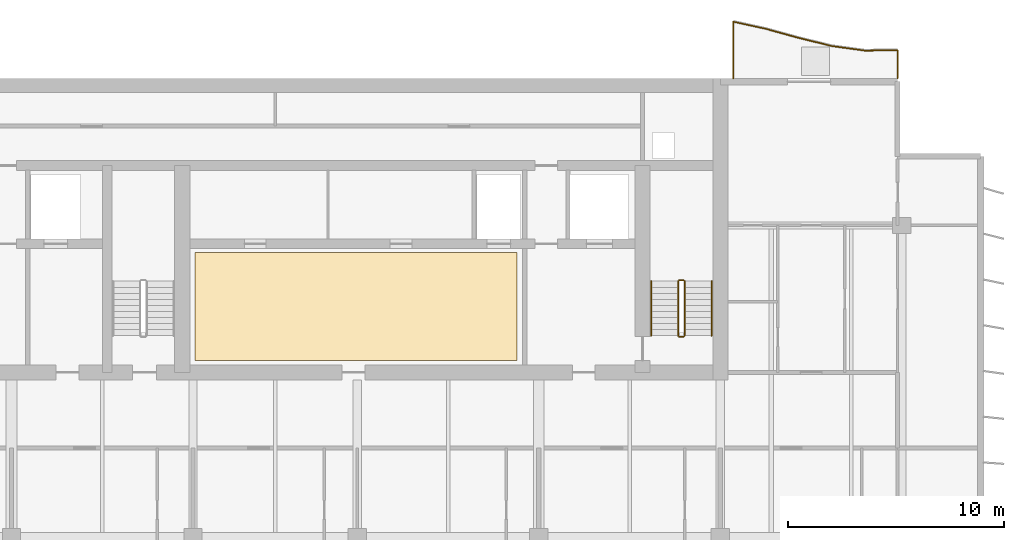
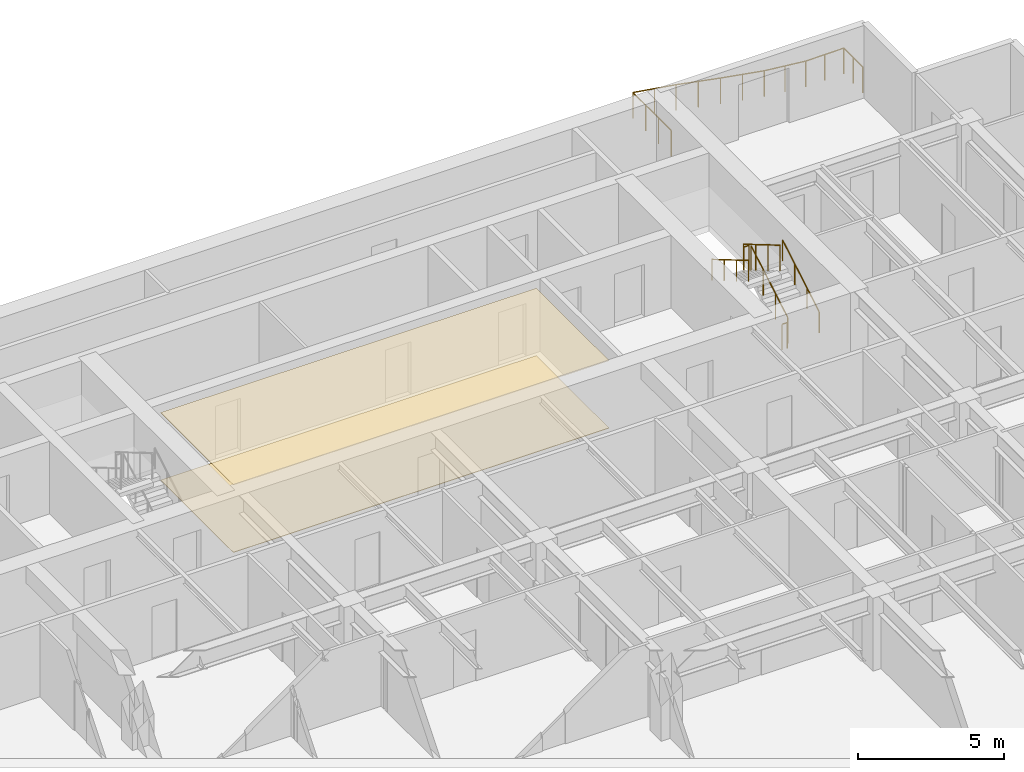
# One storey, part 18 of 19: 7 railings, 2 coverings.
"""IFC4 building model written with IfcOpenShell, lengths in metres."""

from ifc_helpers import new_model, si_unit, direction, frame, origin, origin_2d, place, context, subcontext, project, spatial, polyline, circle, outline, extrude, material, layer, layer_set, type_object, element, save


model = new_model("IFC4")

# Units and contexts
model_context = context("Model", 3, precision=1e-05, world=origin(), true_north=direction((0.0, 1.0)))
body_context = subcontext(model_context, "Body", "Model", "MODEL_VIEW")
ifc_project = project(units=[si_unit("LENGTHUNIT", "METRE"), si_unit("AREAUNIT", "SQUARE_METRE"), si_unit("VOLUMEUNIT", "CUBIC_METRE"), si_unit("PLANEANGLEUNIT", "RADIAN"), si_unit("MASSUNIT", "GRAM", prefix="KILO")], contexts=[model_context])

# Site, building, storey
site_placement = place(None, origin())
site = spatial("IfcSite", under=ifc_project, at=site_placement, CompositionType="ELEMENT")
building_placement = place(site_placement, origin())
building = spatial("IfcBuilding", under=site, at=building_placement, Name="Caelmar Bay Residences", CompositionType="ELEMENT")
storey_placement = place(building_placement, frame((0.0, 0.0, 195.0)))
storey = spatial("IfcBuildingStorey", under=building, at=storey_placement, Name="L54", CompositionType="ELEMENT", Elevation=195.0)

# Coverings
ifc_material_1 = material(Name="Perforated acoustic gypsum-mineral ceiling tile 20 mm")
ifc_layer_1 = layer(ifc_material_1, 0.02001953125)
ifc_layer_set_1 = layer_set([ifc_layer_1], Name="Perforated acoustic gypsum-mineral ceiling tile 20 mm")
covering_type_1 = type_object("IfcCoveringType", Name="COV-CEIL-20", PredefinedType="CEILING", material=ifc_layer_set_1)
covering_1_placement = place(storey_placement, frame((0.0, 0.0, 2.830078125)))
element("IfcCovering", 1, at=covering_1_placement, inside=storey, type_object=covering_type_1, Name="L54 Lift Lobby Acoustic Ceiling", PredefinedType="CEILING", context=body_context, shape_type="SweptSolid", body=[
    extrude(outline(polyline([(35.199951171875, 37.550048828125), (50.10009765625, 37.550048828125), (50.10009765625, 42.550048828125), (35.199951171875, 42.550048828125), (35.199951171875, 37.550048828125)])), origin(), (0.0, 0.0, 1.0), 0.02001953125),
])
ifc_material_2 = material(Name="Honed terrazzo and engineered white-oak flooring 20 mm")
ifc_layer_2 = layer(ifc_material_2, 0.02001953125)
ifc_layer_set_2 = layer_set([ifc_layer_2], Name="Honed terrazzo and engineered white-oak flooring 20 mm")
covering_type_2 = type_object("IfcCoveringType", Name="COV-FLR-20", PredefinedType="FLOORING", material=ifc_layer_set_2)
covering_2_placement = place(storey_placement, origin())
element("IfcCovering", 2, at=covering_2_placement, inside=storey, type_object=covering_type_2, Name="L54 Lift Lobby Terrazzo Flooring", PredefinedType="FLOORING", context=body_context, shape_type="SweptSolid", body=[
    extrude(outline(polyline([(35.199951171875, 37.550048828125), (50.10009765625, 37.550048828125), (50.10009765625, 42.550048828125), (35.199951171875, 42.550048828125), (35.199951171875, 37.550048828125)])), origin(), (0.0, 0.0, 1.0), 0.02001953125),
])

# Railings
ifc_material_3 = material(Name="Anodised bronze handrail with laminated hurricane glass infill", Category="glass")
railing_type_1 = type_object("IfcRailingType", Name="RL-BAL-1100", PredefinedType="BALUSTRADE", material=ifc_material_3)
railing_1_placement = place(storey_placement, frame((67.699951171875, 50.60009765625, 0.0)))
element("IfcRailing", 3, at=railing_1_placement, inside=storey, type_object=railing_type_1, Name="L54 north_east Balcony Balustrade", PredefinedType="BALUSTRADE", context=body_context, shape_type="SweptSolid", body=[
    extrude(circle(Radius=0.02392578125, at=origin_2d()), frame((0.0, 0.0, 1.076171875), z_axis=(0.0, 1.0, 0.0), x_axis=(-1.0, 0.0, 0.0)), (0.0, 0.0, 1.0), 1.310302734375),
    extrude(circle(Radius=0.02392578125, at=origin_2d()), frame((0.0, 1.310302734375, 1.076171875), z_axis=(-0.999921532492, -0.012527124885, 0.0), x_axis=(0.012527124885, -0.999921532492, 0.0)), (0.0, 0.0, 1.0), 1.52001953125),
    extrude(circle(Radius=0.02392578125, at=origin_2d()), frame((-1.52001953125, 1.291259765625, 1.076171875), z_axis=(-0.990551196857, 0.137143451926, 0.0), x_axis=(-0.137143451926, -0.990551196857, 0.0)), (0.0, 0.0, 1.0), 1.534423828125),
    extrude(circle(Radius=0.02392578125, at=origin_2d()), frame((-3.0400390625, 1.501708984375, 1.076171875), z_axis=(-0.971143394628, 0.238496346031, 0.0), x_axis=(-0.238496346031, -0.971143394628, 0.0)), (0.0, 0.0, 1.0), 1.565185546875),
    extrude(circle(Radius=0.02392578125, at=origin_2d()), frame((-4.56005859375, 1.875, 1.076171875), z_axis=(-0.964041885028, 0.265750341319, 0.0), x_axis=(-0.265750341319, -0.964041885028, 0.0)), (0.0, 0.0, 1.0), 1.576416015625),
    extrude(circle(Radius=0.02392578125, at=origin_2d()), frame((-6.079833984375, 2.2939453125, 1.076171875), z_axis=(-0.976865202557, 0.2138559703, 0.0), x_axis=(-0.2138559703, -0.976865202557, 0.0)), (0.0, 0.0, 1.0), 1.555908203125),
    extrude(circle(Radius=0.02392578125, at=origin_2d()), frame((-7.599853515625, 2.626708984375, 1.076171875), z_axis=(0.0, -1.0, 0.0), x_axis=(1.0, 0.0, 0.0)), (0.0, 0.0, 1.0), 2.626708984375),
    extrude(circle(Radius=0.02099609375, at=origin_2d()), origin(), (0.0, 0.0, 1.0), 1.052001953125),
    extrude(circle(Radius=0.02099609375, at=origin_2d()), frame((0.0, 0.6552734375, 0.0)), (0.0, 0.0, 1.0), 1.052001953125),
    extrude(circle(Radius=0.02099609375, at=origin_2d()), frame((0.0, 1.310302734375, 0.0)), (0.0, 0.0, 1.0), 1.052001953125),
    extrude(circle(Radius=0.02099609375, at=origin_2d()), frame((-0.760009765625, 1.30078125, 0.0)), (0.0, 0.0, 1.0), 1.052001953125),
    extrude(circle(Radius=0.02099609375, at=origin_2d()), frame((-1.52001953125, 1.291259765625, 0.0)), (0.0, 0.0, 1.0), 1.052001953125),
    extrude(circle(Radius=0.02099609375, at=origin_2d()), frame((-2.280029296875, 1.396484375, 0.0)), (0.0, 0.0, 1.0), 1.052001953125),
    extrude(circle(Radius=0.02099609375, at=origin_2d()), frame((-3.0400390625, 1.501708984375, 0.0)), (0.0, 0.0, 1.0), 1.052001953125),
    extrude(circle(Radius=0.02099609375, at=origin_2d()), frame((-3.800048828125, 1.6884765625, 0.0)), (0.0, 0.0, 1.0), 1.052001953125),
    extrude(circle(Radius=0.02099609375, at=origin_2d()), frame((-4.56005859375, 1.875, 0.0)), (0.0, 0.0, 1.0), 1.052001953125),
    extrude(circle(Radius=0.02099609375, at=origin_2d()), frame((-5.31982421875, 2.08447265625, 0.0)), (0.0, 0.0, 1.0), 1.052001953125),
    extrude(circle(Radius=0.02099609375, at=origin_2d()), frame((-6.079833984375, 2.2939453125, 0.0)), (0.0, 0.0, 1.0), 1.052001953125),
    extrude(circle(Radius=0.02099609375, at=origin_2d()), frame((-6.83984375, 2.46044921875, 0.0)), (0.0, 0.0, 1.0), 1.052001953125),
    extrude(circle(Radius=0.02099609375, at=origin_2d()), frame((-7.599853515625, 2.626708984375, 0.0)), (0.0, 0.0, 1.0), 1.052001953125),
    extrude(circle(Radius=0.02099609375, at=origin_2d()), frame((-7.599853515625, 1.751220703125, 0.0)), (0.0, 0.0, 1.0), 1.052001953125),
    extrude(circle(Radius=0.02099609375, at=origin_2d()), frame((-7.599853515625, 0.87548828125, 0.0)), (0.0, 0.0, 1.0), 1.052001953125),
    extrude(circle(Radius=0.02099609375, at=origin_2d()), frame((-7.599853515625, 0.0, 0.0)), (0.0, 0.0, 1.0), 1.052001953125),
])
ifc_material_4 = material(Name="Painted galvanized steel stair guard 1100 mm", Category="steel")
railing_type_2 = type_object("IfcRailingType", Name="RL-GRD-1100", PredefinedType="GUARDRAIL", material=ifc_material_4)
railing_2_placement = place(storey_placement, frame((57.85009765625, 38.699951171875, 0.1650390625)))
element("IfcRailing", 4, at=railing_2_placement, inside=storey, type_object=railing_type_2, Name="L54 ST2 stair guard 1", PredefinedType="GUARDRAIL", context=body_context, shape_type="SweptSolid", body=[
    extrude(circle(Radius=0.02392578125, at=origin_2d()), frame((0.0, 0.0, 1.076171875), z_axis=(0.0, 0.861560626758, 0.507654692109), x_axis=(-1.0, 0.0, 0.0)), (0.0, 0.0, 1.0), 2.925048828125),
    extrude(circle(Radius=0.02099609375, at=origin_2d()), origin(), (0.0, 0.0, 1.0), 1.052001953125),
    extrude(circle(Radius=0.02099609375, at=origin_2d()), frame((0.0, 0.840087890625, 0.494873046875)), (0.0, 0.0, 1.0), 1.052001953125),
    extrude(circle(Radius=0.02099609375, at=origin_2d()), frame((0.0, 1.679931640625, 0.989990234375)), (0.0, 0.0, 1.0), 1.052001953125),
    extrude(circle(Radius=0.02099609375, at=origin_2d()), frame((0.0, 2.52001953125, 1.48486328125)), (0.0, 0.0, 1.0), 1.052001953125),
])
railing_3_placement = place(storey_placement, frame((57.800048828125, 41.27001953125, 1.64990234375)))
element("IfcRailing", 5, at=railing_3_placement, inside=storey, type_object=railing_type_2, Name="L54 ST2 stair guard 2", PredefinedType="GUARDRAIL", context=body_context, shape_type="SweptSolid", body=[
    extrude(circle(Radius=0.02392578125, at=origin_2d()), frame((0.0, 0.0, 1.076171875), z_axis=(-1.0, 0.0, 0.0), x_axis=(0.0, -1.0, 0.0)), (0.0, 0.0, 1.0), 0.199951171875),
    extrude(circle(Radius=0.02099609375, at=origin_2d()), origin(), (0.0, 0.0, 1.0), 1.052001953125),
    extrude(circle(Radius=0.02099609375, at=origin_2d()), frame((-0.199951171875, 0.0, 0.0)), (0.0, 0.0, 1.0), 1.052001953125),
])
railing_4_placement = place(storey_placement, frame((57.550048828125, 41.219970703125, 1.81494140625)))
element("IfcRailing", 6, at=railing_4_placement, inside=storey, type_object=railing_type_2, Name="L54 ST2 stair guard 3", PredefinedType="GUARDRAIL", context=body_context, shape_type="SweptSolid", body=[
    extrude(circle(Radius=0.02392578125, at=origin_2d()), frame((0.0, 0.0, 1.076171875), z_axis=(0.0, -0.86152411907, 0.507716645641), x_axis=(1.0, 0.0, 0.0)), (0.0, 0.0, 1.0), 2.925048828125),
    extrude(circle(Radius=0.02099609375, at=origin_2d()), origin(), (0.0, 0.0, 1.0), 1.052001953125),
    extrude(circle(Radius=0.02099609375, at=origin_2d()), frame((0.0, -0.840087890625, 0.4951171875)), (0.0, 0.0, 1.0), 1.052001953125),
    extrude(circle(Radius=0.02099609375, at=origin_2d()), frame((0.0, -1.679931640625, 0.989990234375)), (0.0, 0.0, 1.0), 1.052001953125),
    extrude(circle(Radius=0.02099609375, at=origin_2d()), frame((0.0, -2.52001953125, 1.485107421875)), (0.0, 0.0, 1.0), 1.052001953125),
])
railing_5_placement = place(storey_placement, frame((57.800048828125, 38.64990234375, 0.0)))
element("IfcRailing", 7, at=railing_5_placement, inside=storey, type_object=railing_type_2, Name="L54 ST2 stair guard 4", PredefinedType="GUARDRAIL", context=body_context, shape_type="SweptSolid", body=[
    extrude(circle(Radius=0.02392578125, at=origin_2d()), frame((0.0, 0.0, 1.076171875), z_axis=(-1.0, 0.0, 0.0), x_axis=(0.0, -1.0, 0.0)), (0.0, 0.0, 1.0), 0.199951171875),
    extrude(circle(Radius=0.02099609375, at=origin_2d()), origin(), (0.0, 0.0, 1.0), 1.052001953125),
    extrude(circle(Radius=0.02099609375, at=origin_2d()), frame((-0.199951171875, 0.0, 0.0)), (0.0, 0.0, 1.0), 1.052001953125),
])
ifc_material_5 = material(Name="Brushed bronze stainless-steel tubular handrail 900 mm", Category="steel")
railing_type_3 = type_object("IfcRailingType", Name="RL-HND-900", PredefinedType="HANDRAIL", material=ifc_material_5)
railing_6_placement = place(storey_placement, frame((59.10009765625, 38.699951171875, 0.1650390625)))
element("IfcRailing", 8, at=railing_6_placement, inside=storey, type_object=railing_type_3, Name="L54 ST2 stair handrail 1", PredefinedType="HANDRAIL", context=body_context, shape_type="SweptSolid", body=[
    extrude(circle(Radius=0.02392578125, at=origin_2d()), frame((0.0, 0.0, 0.8759765625), z_axis=(0.0, 0.861560626758, 0.507654692109), x_axis=(-1.0, 0.0, 0.0)), (0.0, 0.0, 1.0), 2.925048828125),
    extrude(circle(Radius=0.02099609375, at=origin_2d()), origin(), (0.0, 0.0, 1.0), 0.851806640625),
    extrude(circle(Radius=0.02099609375, at=origin_2d()), frame((0.0, 0.840087890625, 0.494873046875)), (0.0, 0.0, 1.0), 0.851806640625),
    extrude(circle(Radius=0.02099609375, at=origin_2d()), frame((0.0, 1.679931640625, 0.989990234375)), (0.0, 0.0, 1.0), 0.851806640625),
    extrude(circle(Radius=0.02099609375, at=origin_2d()), frame((0.0, 2.52001953125, 1.48486328125)), (0.0, 0.0, 1.0), 0.851806640625),
])
railing_7_placement = place(storey_placement, frame((56.300048828125, 41.219970703125, 1.81494140625)))
element("IfcRailing", 9, at=railing_7_placement, inside=storey, type_object=railing_type_3, Name="L54 ST2 stair handrail 2", PredefinedType="HANDRAIL", context=body_context, shape_type="SweptSolid", body=[
    extrude(circle(Radius=0.02392578125, at=origin_2d()), frame((0.0, 0.0, 0.8759765625), z_axis=(0.0, -0.86152411907, 0.507716645641), x_axis=(1.0, 0.0, 0.0)), (0.0, 0.0, 1.0), 2.925048828125),
    extrude(circle(Radius=0.02099609375, at=origin_2d()), origin(), (0.0, 0.0, 1.0), 0.851806640625),
    extrude(circle(Radius=0.02099609375, at=origin_2d()), frame((0.0, -0.840087890625, 0.4951171875)), (0.0, 0.0, 1.0), 0.851806640625),
    extrude(circle(Radius=0.02099609375, at=origin_2d()), frame((0.0, -1.679931640625, 0.989990234375)), (0.0, 0.0, 1.0), 0.851806640625),
    extrude(circle(Radius=0.02099609375, at=origin_2d()), frame((0.0, -2.52001953125, 1.485107421875)), (0.0, 0.0, 1.0), 0.851806640625),
])

save(model, "model.ifc")
